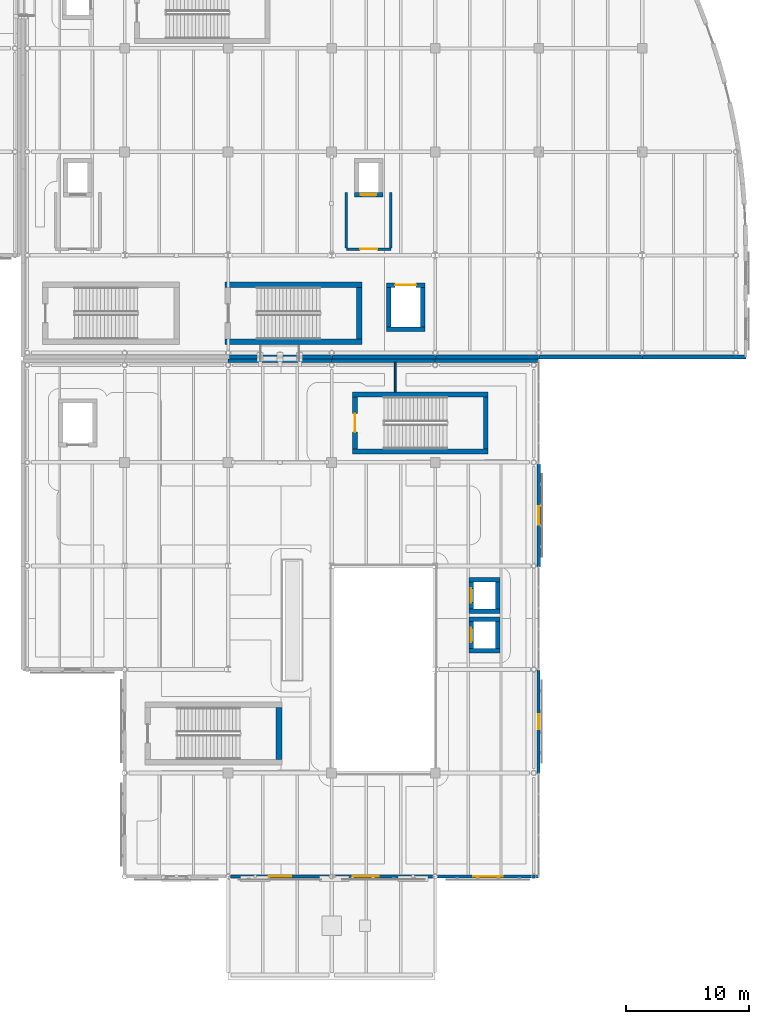
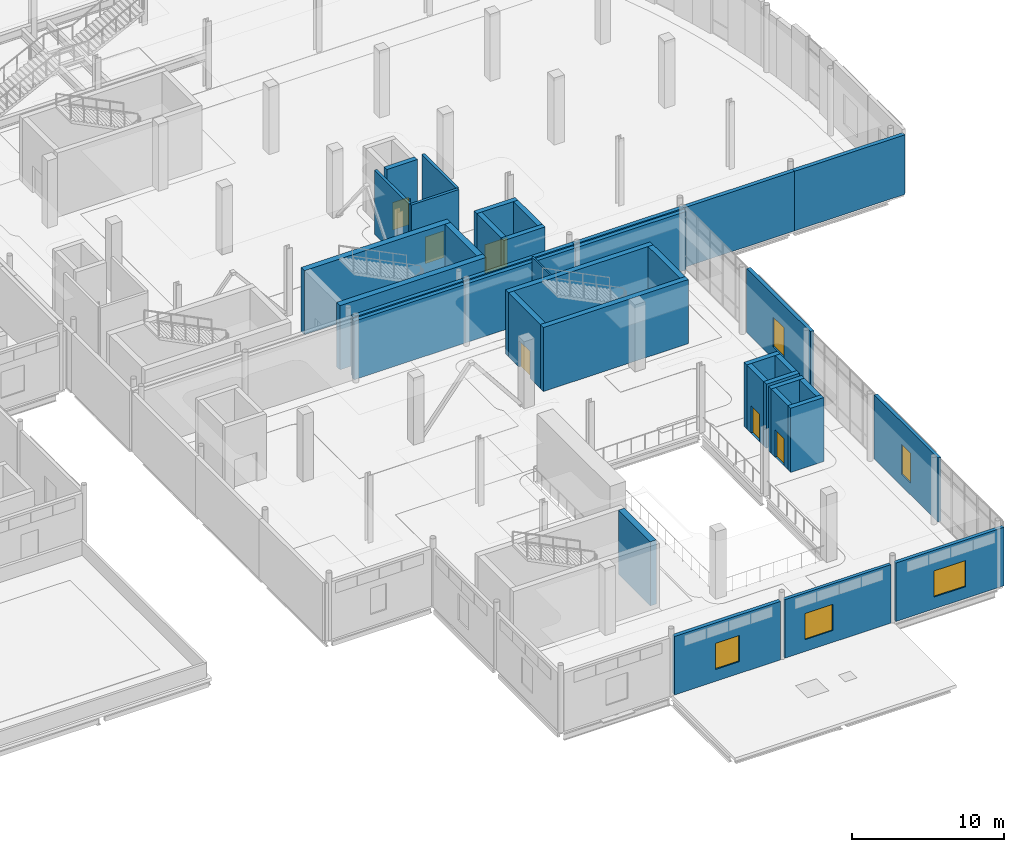
# One storey, part 71 of 110: 38 walls, 6 doors, 5 windows, 11 openings.
"""IFC4 building model written with IfcOpenShell, lengths in metres."""

from ifc_helpers import new_model, si_unit, direction, frame, frame_2d, origin, place, context, subcontext, project, spatial, rectangle, extrude, material, layer, layer_set, type_object, element, fill, save


model = new_model("IFC4")

# Units and contexts
model_context = context("Model", 3, precision=1e-05, world=origin(), true_north=direction((0.0, 1.0)))
body_context = subcontext(model_context, "Body", "Model", "MODEL_VIEW")
ifc_project = project(units=[si_unit("LENGTHUNIT", "METRE"), si_unit("AREAUNIT", "SQUARE_METRE"), si_unit("VOLUMEUNIT", "CUBIC_METRE"), si_unit("PLANEANGLEUNIT", "RADIAN"), si_unit("MASSUNIT", "GRAM", prefix="KILO"), si_unit("THERMODYNAMICTEMPERATUREUNIT", "KELVIN")], contexts=[model_context])

# Site, building, storey
site_placement = place(None, origin())
site = spatial("IfcSite", under=ifc_project, at=site_placement, CompositionType="ELEMENT")
building_placement = place(site_placement, origin())
building = spatial("IfcBuilding", under=site, at=building_placement, Name="Lustrewick Department Store", CompositionType="ELEMENT")
storey_placement = place(building_placement, frame((0.0, 0.0, 6.0)))
storey = spatial("IfcBuildingStorey", under=building, at=storey_placement, Name="L02", CompositionType="ELEMENT", Elevation=6.0)

# Wall, opening, window
ifc_material_1 = material(Name="Precast concrete C40", Category="concrete")
ifc_layer_1 = layer(ifc_material_1, 0.239990234375, Name="Precast concrete C40")
ifc_layer_set_1 = layer_set([ifc_layer_1], Name="Precast concrete C40")
wall_type_1 = type_object("IfcWallType", Name="EW01", PredefinedType="STANDARD", material=ifc_layer_set_1)
wall_1_placement = place(storey_placement, frame((134.58349609375, 8.39990234375, 0.0), z_axis=(0.0, 0.0, 1.0), x_axis=(1.0, 0.0, 0.0)))
wall_1 = element("IfcWall", 1, at=wall_1_placement, inside=storey, type_object=wall_type_1, Name="L02 V3 Exterior Wall EW01", PredefinedType="STANDARD", context=body_context, shape_type="SweptSolid", body=[
    extrude(rectangle(XDim=8.032958984375, YDim=0.239990234375, at=frame_2d((4.0166015625, 0.0))), origin(), (0.0, 0.0, 1.0), 4.697021484375),
])
opening_1_placement = place(wall_1_placement, frame((1.5205078125, 0.0, 0.949951171875)))
opening_1 = element("IfcOpeningElement", 2, at=opening_1_placement, cuts=wall_1, Name="Opening WN11", PredefinedType="OPENING", context=body_context, shape_type="SweptSolid", body=[
    extrude(rectangle(XDim=2.10009765625, YDim=2.10009765625, at=frame_2d((1.050048828125, 1.050048828125))), frame((0.0, 0.1298828125, 0.0), z_axis=(0.0, -1.0, 0.0), x_axis=(1.0, 0.0, 0.0)), (0.0, 0.0, 1.0), 0.260009765625),
])
ifc_material_2 = material(Name="Thermally broken Low-E triple-glazed window", Category="glass")
window_type_1 = type_object("IfcWindowType", Name="WN11", PartitioningType="DOUBLE_PANEL_VERTICAL", PredefinedType="WINDOW", material=ifc_material_2)
window_1_placement = place(opening_1_placement, origin())
window_1 = element("IfcWindow", 3, at=window_1_placement, inside=storey, type_object=window_type_1, Name="L02 Art Nouveau Window WN11", OverallHeight=2.10009765625, OverallWidth=2.10009765625, PartitioningType="SINGLE_PANEL", PredefinedType="WINDOW", context=body_context, shape_type="SweptSolid", body=[
    extrude(rectangle(XDim=2.10009765625, YDim=2.10009765625, at=frame_2d((1.050048828125, 1.050048828125))), frame((0.0, 0.030029296875, 0.0), z_axis=(0.0, -1.0, 0.0), x_axis=(1.0, 0.0, 0.0)), (0.0, 0.0, 1.0), 0.06005859375),
])
fill(opening_1, window_1)

wall_2_placement = place(storey_placement, frame((151.199951171875, 16.77001953125, 0.0), z_axis=(0.0, 0.0, 1.0), x_axis=(0.0, 1.0, 0.0)))
wall_2 = element("IfcWall", 4, at=wall_2_placement, inside=storey, type_object=wall_type_1, Name="L02 V3 Exterior Wall EW01", PredefinedType="STANDARD", context=body_context, shape_type="SweptSolid", body=[
    extrude(rectangle(XDim=8.369873046875, YDim=0.239990234375, at=frame_2d((4.18505859375, 0.0))), origin(), (0.0, 0.0, 1.0), 5.14501953125),
])
opening_2_placement = place(wall_2_placement, frame((3.5849609375, 0.0, 0.949951171875)))
opening_2 = element("IfcOpeningElement", 5, at=opening_2_placement, cuts=wall_2, Name="Opening WN13", PredefinedType="OPENING", context=body_context, shape_type="SweptSolid", body=[
    extrude(rectangle(XDim=1.199951171875, YDim=2.39990234375, at=frame_2d((0.60009765625, 1.199951171875))), frame((0.0, 0.1298828125, 0.0), z_axis=(0.0, -1.0, 0.0), x_axis=(1.0, 0.0, 0.0)), (0.0, 0.0, 1.0), 0.260009765625),
])
window_type_2 = type_object("IfcWindowType", Name="WN13", PartitioningType="DOUBLE_PANEL_VERTICAL", PredefinedType="WINDOW", material=ifc_material_2)
window_2_placement = place(opening_2_placement, origin())
window_2 = element("IfcWindow", 6, at=window_2_placement, inside=storey, type_object=window_type_2, Name="L02 Art Nouveau Window WN13", OverallHeight=2.39990234375, OverallWidth=1.199951171875, PartitioningType="SINGLE_PANEL", PredefinedType="WINDOW", context=body_context, shape_type="SweptSolid", body=[
    extrude(rectangle(XDim=1.199951171875, YDim=2.39990234375, at=frame_2d((0.60009765625, 1.199951171875))), frame((0.0, 0.030029296875, 0.0), z_axis=(0.0, -1.0, 0.0), x_axis=(1.0, 0.0, 0.0)), (0.0, 0.0, 1.0), 0.06005859375),
])
fill(opening_2, window_2)

ifc_layer_2 = layer(ifc_material_1, 0.260009765625, Name="Precast concrete C40")
ifc_layer_set_2 = layer_set([ifc_layer_2], Name="Precast concrete C40")
wall_type_2 = type_object("IfcWallType", Name="EW02", PredefinedType="STANDARD", material=ifc_layer_set_2)
wall_3_placement = place(storey_placement, frame((142.9833984375, 8.39990234375, 0.0), z_axis=(0.0, 0.0, 1.0), x_axis=(1.0, 0.0, 0.0)))
wall_3 = element("IfcWall", 7, at=wall_3_placement, inside=storey, type_object=wall_type_2, Name="L02 V3 Exterior Wall EW02", PredefinedType="STANDARD", context=body_context, shape_type="SweptSolid", body=[
    extrude(rectangle(XDim=8.216552734375, YDim=0.260009765625, at=frame_2d((4.1083984375, 0.0))), origin(), (0.0, 0.0, 1.0), 4.697021484375),
])
opening_3_placement = place(wall_3_placement, frame((2.908203125, 0.0, 0.949951171875)))
opening_3 = element("IfcOpeningElement", 8, at=opening_3_placement, cuts=wall_3, Name="Opening WN12", PredefinedType="OPENING", context=body_context, shape_type="SweptSolid", body=[
    extrude(rectangle(XDim=2.39990234375, YDim=2.10009765625, at=frame_2d((1.199951171875, 1.050048828125))), frame((0.0, 0.14013671875, 0.0), z_axis=(0.0, -1.0, 0.0), x_axis=(1.0, 0.0, 0.0)), (0.0, 0.0, 1.0), 0.280029296875),
])
window_type_3 = type_object("IfcWindowType", Name="WN12", PartitioningType="DOUBLE_PANEL_VERTICAL", PredefinedType="WINDOW", material=ifc_material_2)
window_3_placement = place(opening_3_placement, origin())
window_3 = element("IfcWindow", 9, at=window_3_placement, inside=storey, type_object=window_type_3, Name="L02 Art Nouveau Window WN12", OverallHeight=2.10009765625, OverallWidth=2.39990234375, PartitioningType="SINGLE_PANEL", PredefinedType="WINDOW", context=body_context, shape_type="SweptSolid", body=[
    extrude(rectangle(XDim=2.39990234375, YDim=2.10009765625, at=frame_2d((1.199951171875, 1.050048828125))), frame((0.0, 0.030029296875, 0.0), z_axis=(0.0, -1.0, 0.0), x_axis=(1.0, 0.0, 0.0)), (0.0, 0.0, 1.0), 0.06005859375),
])
fill(opening_3, window_3)

ifc_layer_3 = layer(ifc_material_1, 0.280029296875, Name="Precast concrete C40")
ifc_layer_set_3 = layer_set([ifc_layer_3], Name="Precast concrete C40")
wall_type_3 = type_object("IfcWallType", Name="EW03", PredefinedType="STANDARD", material=ifc_layer_set_3)
wall_4_placement = place(storey_placement, frame((126.18359375, 8.39990234375, 0.0), z_axis=(0.0, 0.0, 1.0), x_axis=(1.0, 0.0, 0.0)))
wall_4 = element("IfcWall", 10, at=wall_4_placement, inside=storey, type_object=wall_type_3, Name="L02 V3 Exterior Wall EW03", PredefinedType="STANDARD", context=body_context, shape_type="SweptSolid", body=[
    extrude(rectangle(XDim=8.032958984375, YDim=0.280029296875, at=frame_2d((4.0166015625, 0.0))), origin(), (0.0, 0.0, 1.0), 4.697021484375),
])
opening_4_placement = place(wall_4_placement, frame((3.116455078125, 0.0, 0.949951171875)))
opening_4 = element("IfcOpeningElement", 11, at=opening_4_placement, cuts=wall_4, Name="Opening WN10", PredefinedType="OPENING", context=body_context, shape_type="SweptSolid", body=[
    extrude(rectangle(XDim=1.800048828125, YDim=2.10009765625, at=frame_2d((0.89990234375, 1.050048828125))), frame((0.0, 0.14990234375, 0.0), z_axis=(0.0, -1.0, 0.0), x_axis=(1.0, 0.0, 0.0)), (0.0, 0.0, 1.0), 0.300048828125),
])
window_type_4 = type_object("IfcWindowType", Name="WN10", PartitioningType="DOUBLE_PANEL_VERTICAL", PredefinedType="WINDOW", material=ifc_material_2)
window_4_placement = place(opening_4_placement, origin())
window_4 = element("IfcWindow", 12, at=window_4_placement, inside=storey, type_object=window_type_4, Name="L02 Art Nouveau Window WN10", OverallHeight=2.10009765625, OverallWidth=1.800048828125, PartitioningType="SINGLE_PANEL", PredefinedType="WINDOW", context=body_context, shape_type="SweptSolid", body=[
    extrude(rectangle(XDim=1.800048828125, YDim=2.10009765625, at=frame_2d((0.89990234375, 1.050048828125))), frame((0.0, 0.030029296875, 0.0), z_axis=(0.0, -1.0, 0.0), x_axis=(1.0, 0.0, 0.0)), (0.0, 0.0, 1.0), 0.06005859375),
])
fill(opening_4, window_4)

wall_5_placement = place(storey_placement, frame((151.199951171875, 33.510009765625, 0.0), z_axis=(0.0, 0.0, 1.0), x_axis=(0.0, 1.0, 0.0)))
wall_5 = element("IfcWall", 13, at=wall_5_placement, inside=storey, type_object=wall_type_3, Name="L02 V3 Exterior Wall EW03", PredefinedType="STANDARD", context=body_context, shape_type="SweptSolid", body=[
    extrude(rectangle(XDim=8.369873046875, YDim=0.280029296875, at=frame_2d((4.18505859375, 0.0))), origin(), (0.0, 0.0, 1.0), 5.14501953125),
])
opening_5_placement = place(wall_5_placement, frame((3.43505859375, 0.0, 0.949951171875)))
opening_5 = element("IfcOpeningElement", 14, at=opening_5_placement, cuts=wall_5, Name="Opening WN14", PredefinedType="OPENING", context=body_context, shape_type="SweptSolid", body=[
    extrude(rectangle(XDim=1.5, YDim=2.39990234375, at=frame_2d((0.75, 1.199951171875))), frame((0.0, 0.14990234375, 0.0), z_axis=(0.0, -1.0, 0.0), x_axis=(1.0, 0.0, 0.0)), (0.0, 0.0, 1.0), 0.300048828125),
])
window_type_5 = type_object("IfcWindowType", Name="WN14", PartitioningType="DOUBLE_PANEL_VERTICAL", PredefinedType="WINDOW", material=ifc_material_2)
window_5_placement = place(opening_5_placement, origin())
window_5 = element("IfcWindow", 15, at=window_5_placement, inside=storey, type_object=window_type_5, Name="L02 Art Nouveau Window WN14", OverallHeight=2.39990234375, OverallWidth=1.5, PartitioningType="SINGLE_PANEL", PredefinedType="WINDOW", context=body_context, shape_type="SweptSolid", body=[
    extrude(rectangle(XDim=1.5, YDim=2.39990234375, at=frame_2d((0.75, 1.199951171875))), frame((0.0, 0.030029296875, 0.0), z_axis=(0.0, -1.0, 0.0), x_axis=(1.0, 0.0, 0.0)), (0.0, 0.0, 1.0), 0.06005859375),
])
fill(opening_5, window_5)

# Walls
ifc_layer_4 = layer(ifc_material_1, 0.300048828125, Name="Precast concrete C40")
ifc_layer_set_4 = layer_set([ifc_layer_4], Name="Precast concrete C40")
wall_type_4 = type_object("IfcWallType", Name="EW04", PredefinedType="STANDARD", material=ifc_layer_set_4)
wall_6_placement = place(storey_placement, frame((151.199951171875, 50.25, 0.0), z_axis=(0.0, 0.0, 1.0), x_axis=(-1.0, 0.0, 0.0)))
element("IfcWall", 16, at=wall_6_placement, inside=storey, type_object=wall_type_4, Name="L02 V3 Exterior Wall EW04", PredefinedType="STANDARD", context=body_context, shape_type="SweptSolid", body=[
    extrude(rectangle(XDim=8.39990234375, YDim=0.300048828125, at=frame_2d((4.199951171875, 0.0))), origin(), (0.0, 0.0, 1.0), 4.697021484375),
])
wall_7_placement = place(storey_placement, frame((142.800048828125, 50.25, 0.0), z_axis=(0.0, 0.0, 1.0), x_axis=(-1.0, 0.0, 0.0)))
element("IfcWall", 17, at=wall_7_placement, inside=storey, type_object=wall_type_4, Name="L02 V3 Exterior Wall EW04", PredefinedType="STANDARD", context=body_context, shape_type="SweptSolid", body=[
    extrude(rectangle(XDim=8.400146484375, YDim=0.300048828125, at=frame_2d((4.2001953125, 0.0))), origin(), (0.0, 0.0, 1.0), 4.697021484375),
])
wall_8_placement = place(storey_placement, frame((134.39990234375, 50.25, 0.0), z_axis=(0.0, 0.0, 1.0), x_axis=(-1.0, 0.0, 0.0)))
element("IfcWall", 18, at=wall_8_placement, inside=storey, type_object=wall_type_4, Name="L02 V3 Exterior Wall EW04", PredefinedType="STANDARD", context=body_context, shape_type="SweptSolid", body=[
    extrude(rectangle(XDim=8.39990234375, YDim=0.300048828125, at=frame_2d((4.199951171875, 0.0))), origin(), (0.0, 0.0, 1.0), 4.697021484375),
])
wall_9_placement = place(storey_placement, frame((126.107177734375, 50.550048828125, 0.0), z_axis=(0.0, 0.0, 1.0), x_axis=(1.0, 0.0, 0.0)))
element("IfcWall", 19, at=wall_9_placement, inside=storey, type_object=wall_type_4, Name="L02 V4 Exterior Wall EW04", PredefinedType="STANDARD", context=body_context, shape_type="SweptSolid", body=[
    extrude(rectangle(XDim=8.37841796875, YDim=0.300048828125, at=frame_2d((4.189208984375, 0.0))), origin(), (0.0, 0.0, 1.0), 4.787109375),
])
for number, where, z_axis, x_axis, name in (
    (20, (134.485595703125, 50.550048828125, 0.0), (0.0, 0.0, 1.0), (1.0, 0.0, 0.0), "L02 V4 Exterior Wall EW04"),
    (21, (142.8642578125, 50.550048828125, 0.0), (0.0, 0.0, 1.0), (1.0, 0.0, 0.0), "L02 V4 Exterior Wall EW04"),
):
    element("IfcWall", number, at=place(storey_placement, frame(where, z_axis=z_axis, x_axis=x_axis)), inside=storey, type_object=wall_type_4, Name=name, PredefinedType="STANDARD", context=body_context, shape_type="SweptSolid", body=[
        extrude(rectangle(XDim=8.378662109375, YDim=0.300048828125, at=frame_2d((4.189453125, 0.0))), origin(), (0.0, 0.0, 1.0), 4.787109375),
    ])
wall_10_placement = place(storey_placement, frame((151.242919921875, 50.550048828125, 0.0), z_axis=(0.0, 0.0, 1.0), x_axis=(1.0, 0.0, 0.0)))
element("IfcWall", 22, at=wall_10_placement, inside=storey, type_object=wall_type_4, Name="L02 V4 Exterior Wall EW04", PredefinedType="STANDARD", context=body_context, shape_type="SweptSolid", body=[
    extrude(rectangle(XDim=8.37841796875, YDim=0.300048828125, at=frame_2d((4.189208984375, 0.0))), origin(), (0.0, 0.0, 1.0), 4.787109375),
])
wall_11_placement = place(storey_placement, frame((159.621337890625, 50.550048828125, 0.0), z_axis=(0.0, 0.0, 1.0), x_axis=(1.0, 0.0, 0.0)))
element("IfcWall", 23, at=wall_11_placement, inside=storey, type_object=wall_type_4, Name="L02 V4 Exterior Wall EW04", PredefinedType="STANDARD", context=body_context, shape_type="SweptSolid", body=[
    extrude(rectangle(XDim=8.378662109375, YDim=0.300048828125, at=frame_2d((4.189453125, 0.0))), origin(), (0.0, 0.0, 1.0), 4.787109375),
])

# Wall, opening, door
ifc_material_3 = material(Name="Autoclaved aerated concrete blockwork and fire board", Category="masonry")
ifc_layer_5 = layer(ifc_material_3, 0.205078125, Name="Autoclaved aerated concrete blockwork and fire board")
ifc_layer_set_5 = layer_set([ifc_layer_5], Name="Autoclaved aerated concrete blockwork and fire board")
wall_type_5 = type_object("IfcWallType", Name="PW02", PredefinedType="PARTITIONING", material=ifc_layer_set_5)
wall_12_placement = place(storey_placement, frame((135.60009765625, 59.300048828125, 0.0), z_axis=(0.0, 0.0, 1.0), x_axis=(1.0, 0.0, 0.0)))
wall_12 = element("IfcWall", 24, at=wall_12_placement, inside=storey, type_object=wall_type_5, Name="L02 Firefighting Lift Lobby FFL-03 PW02", PredefinedType="PARTITIONING", context=body_context, shape_type="SweptSolid", body=[
    extrude(rectangle(XDim=3.599853515625, YDim=0.205078125, at=frame_2d((1.7998046875, 0.0))), origin(), (0.0, 0.0, 1.0), 5.14501953125),
])
opening_6_placement = place(wall_12_placement, frame((1.10009765625, 0.0, 0.0)))
opening_6 = element("IfcOpeningElement", 25, at=opening_6_placement, cuts=wall_12, Name="Opening D-L02-049", PredefinedType="OPENING", context=body_context, shape_type="SweptSolid", body=[
    extrude(rectangle(XDim=1.39990234375, YDim=2.14990234375, at=frame_2d((0.699951171875, 1.074951171875))), frame((0.0, 0.112548828125, 0.0), z_axis=(0.0, -1.0, 0.0), x_axis=(1.0, 0.0, 0.0)), (0.0, 0.0, 1.0), 0.22509765625),
])
ifc_material_4 = material(Name="Steel fire door Class B EI 60", Category="steel")
door_type_1 = type_object("IfcDoorType", Name="DT-08", OperationType="NOTDEFINED", PredefinedType="DOOR", material=ifc_material_4)
door_1_placement = place(opening_6_placement, origin())
door_1 = element("IfcDoor", 26, at=door_1_placement, inside=storey, type_object=door_type_1, Name="L02 Firefighting Lift Lobby FFL-03 Door D-L02-049", OperationType="SINGLE_SWING_LEFT", OverallHeight=2.14990234375, OverallWidth=1.39990234375, PredefinedType="DOOR", context=body_context, shape_type="SweptSolid", body=[
    extrude(rectangle(XDim=1.39990234375, YDim=2.14990234375, at=frame_2d((0.699951171875, 1.074951171875))), frame((0.0, 0.02490234375, 0.0), z_axis=(0.0, -1.0, 0.0), x_axis=(1.0, 0.0, 0.0)), (0.0, 0.0, 1.0), 0.050048828125),
])
fill(opening_6, door_1)

# Walls
for number, where, z_axis, x_axis, name in (
    (27, (139.199951171875, 59.3974609375, 0.0), (0.0, 0.0, 1.0), (0.0, 1.0, 0.0), "L02 Firefighting Lift Lobby FFL-03 PW02"),
    (28, (135.60009765625, 63.89990234375, 0.0), (0.0, 0.0, 1.0), (0.0, -1.0, 0.0), "L02 Firefighting Lift Lobby FFL-03 PW02"),
):
    element("IfcWall", number, at=place(storey_placement, frame(where, z_axis=z_axis, x_axis=x_axis)), inside=storey, type_object=wall_type_5, Name=name, PredefinedType="PARTITIONING", context=body_context, shape_type="SweptSolid", body=[
        extrude(rectangle(XDim=4.50244140625, YDim=0.205078125, at=frame_2d((2.251220703125, 0.0))), origin(), (0.0, 0.0, 1.0), 5.14501953125),
    ])
ifc_material_5 = material(Name="Acoustic gypsum stud corridor partition", Category="gypsum")
ifc_layer_6 = layer(ifc_material_5, 0.135009765625, Name="Acoustic gypsum stud corridor partition")
ifc_layer_set_6 = layer_set([ifc_layer_6], Name="Acoustic gypsum stud corridor partition")
wall_type_6 = type_object("IfcWallType", Name="PW06", PredefinedType="PARTITIONING", material=ifc_layer_set_6)
wall_13_placement = place(storey_placement, frame((139.558349609375, 47.695068359375, 0.0), z_axis=(0.0, 0.0, 1.0), x_axis=(0.0, 1.0, 0.0)))
element("IfcWall", 29, at=wall_13_placement, inside=storey, type_object=wall_type_6, Name="L02 V3 Merchandise Display Alcove 3 PW06", PredefinedType="PARTITIONING", context=body_context, shape_type="SweptSolid", body=[
    extrude(rectangle(XDim=2.409912109375, YDim=0.135009765625, at=frame_2d((1.205078125, 0.0))), origin(), (0.0, 0.0, 1.0), 5.14501953125),
])
ifc_material_6 = material(Name="Concrete C50", Category="concrete")
ifc_layer_7 = layer(ifc_material_6, 0.449951171875, Name="Concrete C50")
ifc_layer_set_7 = layer_set([ifc_layer_7], Name="Concrete C50")
wall_type_7 = type_object("IfcWallType", Name="SW01", PredefinedType="SHEAR", material=ifc_layer_set_7)
wall_14_placement = place(storey_placement, frame((130.125, 17.89990234375, 0.0), z_axis=(0.0, 0.0, 1.0), x_axis=(0.0, 1.0, 0.0)))
element("IfcWall", 30, at=wall_14_placement, inside=storey, type_object=wall_type_7, Name="L02 Stair Core ST07 Shear Wall E", PredefinedType="SHEAR", context=body_context, shape_type="SweptSolid", body=[
    extrude(rectangle(XDim=4.2001953125, YDim=0.449951171875, at=frame_2d((2.10009765625, 0.0))), origin(), (0.0, 0.0, 1.0), 5.14501953125),
])
wall_15_placement = place(storey_placement, frame((125.75, 51.77490234375, 0.0), z_axis=(0.0, 0.0, 1.0), x_axis=(1.0, 0.0, 0.0)))
element("IfcWall", 31, at=wall_15_placement, inside=storey, type_object=wall_type_7, Name="L02 Stair Core ST11 Shear Wall S", PredefinedType="SHEAR", context=body_context, shape_type="SweptSolid", body=[
    extrude(rectangle(XDim=11.10009765625, YDim=0.449951171875, at=frame_2d((5.550048828125, 0.0))), origin(), (0.0, 0.0, 1.0), 5.14501953125),
])
wall_16_placement = place(storey_placement, frame((136.625, 52.0, 0.0), z_axis=(0.0, 0.0, 1.0), x_axis=(0.0, 1.0, 0.0)))
element("IfcWall", 32, at=wall_16_placement, inside=storey, type_object=wall_type_7, Name="L02 Stair Core ST11 Shear Wall E", PredefinedType="SHEAR", context=body_context, shape_type="SweptSolid", body=[
    extrude(rectangle(XDim=4.199951171875, YDim=0.449951171875, at=frame_2d((2.10009765625, 0.0))), origin(), (0.0, 0.0, 1.0), 5.14501953125),
])
wall_17_placement = place(storey_placement, frame((136.85009765625, 56.425048828125, 0.0), z_axis=(0.0, 0.0, 1.0), x_axis=(-1.0, 0.0, 0.0)))
element("IfcWall", 33, at=wall_17_placement, inside=storey, type_object=wall_type_7, Name="L02 Stair Core ST11 Shear Wall N", PredefinedType="SHEAR", context=body_context, shape_type="SweptSolid", body=[
    extrude(rectangle(XDim=11.10009765625, YDim=0.449951171875, at=frame_2d((5.550048828125, 0.0))), origin(), (0.0, 0.0, 1.0), 5.14501953125),
])
ifc_layer_8 = layer(ifc_material_6, 0.39990234375, Name="Concrete C50")
ifc_layer_set_8 = layer_set([ifc_layer_8], Name="Concrete C50")
wall_type_8 = type_object("IfcWallType", Name="SW02", PredefinedType="SHEAR", material=ifc_layer_set_8)
wall_18_placement = place(storey_placement, frame((136.10009765625, 42.89990234375, 0.0), z_axis=(0.0, 0.0, 1.0), x_axis=(1.0, 0.0, 0.0)))
element("IfcWall", 34, at=wall_18_placement, inside=storey, type_object=wall_type_8, Name="L02 Stair Core ST08 Shear Wall S", PredefinedType="SHEAR", context=body_context, shape_type="SweptSolid", body=[
    extrude(rectangle(XDim=11.0, YDim=0.39990234375, at=frame_2d((5.5, 0.0))), origin(), (0.0, 0.0, 1.0), 5.14501953125),
])
wall_19_placement = place(storey_placement, frame((146.89990234375, 43.10009765625, 0.0), z_axis=(0.0, 0.0, 1.0), x_axis=(0.0, 1.0, 0.0)))
element("IfcWall", 35, at=wall_19_placement, inside=storey, type_object=wall_type_8, Name="L02 Stair Core ST08 Shear Wall E", PredefinedType="SHEAR", context=body_context, shape_type="SweptSolid", body=[
    extrude(rectangle(XDim=4.199951171875, YDim=0.39990234375, at=frame_2d((2.10009765625, 0.0))), origin(), (0.0, 0.0, 1.0), 5.14501953125),
])
wall_20_placement = place(storey_placement, frame((147.10009765625, 47.5, 0.0), z_axis=(0.0, 0.0, 1.0), x_axis=(-1.0, 0.0, 0.0)))
element("IfcWall", 36, at=wall_20_placement, inside=storey, type_object=wall_type_8, Name="L02 Stair Core ST08 Shear Wall N", PredefinedType="SHEAR", context=body_context, shape_type="SweptSolid", body=[
    extrude(rectangle(XDim=11.0, YDim=0.39990234375, at=frame_2d((5.5, 0.0))), origin(), (0.0, 0.0, 1.0), 5.14501953125),
])

# Wall, opening, door
wall_21_placement = place(storey_placement, frame((136.300048828125, 47.300048828125, 0.0), z_axis=(0.0, 0.0, 1.0), x_axis=(0.0, -1.0, 0.0)))
wall_21 = element("IfcWall", 37, at=wall_21_placement, inside=storey, type_object=wall_type_8, Name="L02 Stair Core ST08 Shear Wall W", PredefinedType="SHEAR", context=body_context, shape_type="SweptSolid", body=[
    extrude(rectangle(XDim=4.199951171875, YDim=0.39990234375, at=frame_2d((2.10009765625, 0.0))), origin(), (0.0, 0.0, 1.0), 5.14501953125),
])
opening_7_placement = place(wall_21_placement, frame((1.35009765625, 0.0, 0.0)))
opening_7 = element("IfcOpeningElement", 38, at=opening_7_placement, cuts=wall_21, Name="Opening D-L02-008", PredefinedType="OPENING", context=body_context, shape_type="SweptSolid", body=[
    extrude(rectangle(XDim=1.5, YDim=2.14990234375, at=frame_2d((0.75, 1.074951171875))), frame((0.0, 0.2099609375, 0.0), z_axis=(0.0, -1.0, 0.0), x_axis=(1.0, 0.0, 0.0)), (0.0, 0.0, 1.0), 0.419921875),
])
door_type_2 = type_object("IfcDoorType", Name="DT-07", OperationType="NOTDEFINED", PredefinedType="DOOR", material=ifc_material_4)
door_2_placement = place(opening_7_placement, origin())
door_2 = element("IfcDoor", 39, at=door_2_placement, inside=storey, type_object=door_type_2, Name="L02 Smoke-Proof Stair ST08 Fire Door", OperationType="SINGLE_SWING_RIGHT", OverallHeight=2.14990234375, OverallWidth=1.5, PredefinedType="DOOR", context=body_context, shape_type="SweptSolid", body=[
    extrude(rectangle(XDim=1.5, YDim=2.14990234375, at=frame_2d((0.75, 1.074951171875))), frame((0.0, 0.02490234375, 0.0), z_axis=(0.0, -1.0, 0.0), x_axis=(1.0, 0.0, 0.0)), (0.0, 0.0, 1.0), 0.050048828125),
])
fill(opening_7, door_2)

ifc_material_7 = material(Name="Concrete C40", Category="concrete")
ifc_layer_9 = layer(ifc_material_7, 0.360107421875, Name="Concrete C40")
ifc_layer_set_9 = layer_set([ifc_layer_9], Name="Concrete C40")
wall_type_9 = type_object("IfcWallType", Name="SW04", PredefinedType="SHEAR", material=ifc_layer_set_9)
wall_22_placement = place(storey_placement, frame((136.239990234375, 63.719970703125, 0.0), z_axis=(0.0, 0.0, 1.0), x_axis=(1.0, 0.0, 0.0)))
wall_22 = element("IfcWall", 40, at=wall_22_placement, inside=storey, type_object=wall_type_9, Name="L02 Lift FFL-03 Shaft Wall -Y", PredefinedType="SHEAR", context=body_context, shape_type="SweptSolid", body=[
    extrude(rectangle(XDim=2.320068359375, YDim=0.360107421875, at=frame_2d((1.16015625, 0.0))), origin(), (0.0, 0.0, 1.0), 5.14501953125),
])
opening_8_placement = place(wall_22_placement, frame((0.534912109375, 0.0, 0.0)))
opening_8 = element("IfcOpeningElement", 41, at=opening_8_placement, cuts=wall_22, Name="Opening LD-L02-03", PredefinedType="OPENING", context=body_context, shape_type="SweptSolid", body=[
    extrude(rectangle(XDim=1.25, YDim=2.199951171875, at=frame_2d((0.625, 1.10009765625))), frame((0.0, 0.18994140625, 0.0), z_axis=(0.0, -1.0, 0.0), x_axis=(1.0, 0.0, 0.0)), (0.0, 0.0, 1.0), 0.380126953125),
])
ifc_material_8 = material(Name="Stainless steel firefighting lift landing door EI 90", Category="steel")
door_type_3 = type_object("IfcDoorType", Name="DT-15", OperationType="NOTDEFINED", PredefinedType="DOOR", material=ifc_material_8)
door_3_placement = place(opening_8_placement, frame((1.25, 0.0, 0.0), z_axis=(0.0, 0.0, 1.0), x_axis=(-1.0, 0.0, 0.0)))
door_3 = element("IfcDoor", 42, at=door_3_placement, inside=storey, type_object=door_type_3, Name="L02 Lift FFL-03 Sliding Landing Door LD-L02-03", OperationType="DOUBLE_DOOR_SLIDING", OverallHeight=2.199951171875, OverallWidth=1.25, PredefinedType="DOOR", context=body_context, shape_type="SweptSolid", body=[
    extrude(rectangle(XDim=1.25, YDim=2.199951171875, at=frame_2d((0.625, 1.10009765625))), frame((0.0, 0.02490234375, 0.0), z_axis=(0.0, -1.0, 0.0), x_axis=(1.0, 0.0, 0.0)), (0.0, 0.0, 1.0), 0.050048828125),
])
fill(opening_8, door_3)

# Walls
wall_23_placement = place(storey_placement, frame((145.5400390625, 26.719970703125, 0.0), z_axis=(0.0, 0.0, 1.0), x_axis=(1.0, 0.0, 0.0)))
element("IfcWall", 43, at=wall_23_placement, inside=storey, type_object=wall_type_9, Name="L02 Lift PL-05 Shaft Wall -Y", PredefinedType="SHEAR", context=body_context, shape_type="SweptSolid", body=[
    extrude(rectangle(XDim=2.52001953125, YDim=0.360107421875, at=frame_2d((1.260009765625, 0.0))), origin(), (0.0, 0.0, 1.0), 5.14501953125),
])
wall_24_placement = place(storey_placement, frame((147.8798828125, 26.89990234375, 0.0), z_axis=(0.0, 0.0, 1.0), x_axis=(0.0, 1.0, 0.0)))
element("IfcWall", 44, at=wall_24_placement, inside=storey, type_object=wall_type_9, Name="L02 Lift PL-05 Shaft Wall +X", PredefinedType="SHEAR", context=body_context, shape_type="SweptSolid", body=[
    extrude(rectangle(XDim=2.2001953125, YDim=0.360107421875, at=frame_2d((1.10009765625, 0.0))), origin(), (0.0, 0.0, 1.0), 5.14501953125),
])
wall_25_placement = place(storey_placement, frame((148.06005859375, 29.280029296875, 0.0), z_axis=(0.0, 0.0, 1.0), x_axis=(-1.0, 0.0, 0.0)))
element("IfcWall", 45, at=wall_25_placement, inside=storey, type_object=wall_type_9, Name="L02 Lift PL-05 Shaft Wall +Y", PredefinedType="SHEAR", context=body_context, shape_type="SweptSolid", body=[
    extrude(rectangle(XDim=2.52001953125, YDim=0.360107421875, at=frame_2d((1.260009765625, 0.0))), origin(), (0.0, 0.0, 1.0), 5.14501953125),
])

# Wall, opening, door
wall_26_placement = place(storey_placement, frame((145.719970703125, 29.10009765625, 0.0), z_axis=(0.0, 0.0, 1.0), x_axis=(0.0, -1.0, 0.0)))
wall_26 = element("IfcWall", 46, at=wall_26_placement, inside=storey, type_object=wall_type_9, Name="L02 Lift PL-05 Shaft Wall -X", PredefinedType="SHEAR", context=body_context, shape_type="SweptSolid", body=[
    extrude(rectangle(XDim=2.2001953125, YDim=0.360107421875, at=frame_2d((1.10009765625, 0.0))), origin(), (0.0, 0.0, 1.0), 5.14501953125),
])
opening_9_placement = place(wall_26_placement, frame((0.52490234375, 0.0, 0.0)))
opening_9 = element("IfcOpeningElement", 47, at=opening_9_placement, cuts=wall_26, Name="Opening LD-L02-09", PredefinedType="OPENING", context=body_context, shape_type="SweptSolid", body=[
    extrude(rectangle(XDim=1.14990234375, YDim=2.199951171875, at=frame_2d((0.574951171875, 1.10009765625))), frame((0.0, 0.18994140625, 0.0), z_axis=(0.0, -1.0, 0.0), x_axis=(1.0, 0.0, 0.0)), (0.0, 0.0, 1.0), 0.380126953125),
])
ifc_material_9 = material(Name="Brushed bronze passenger lift landing door EI 60", Category="steel")
door_type_4 = type_object("IfcDoorType", Name="DT-16", OperationType="NOTDEFINED", PredefinedType="DOOR", material=ifc_material_9)
door_4_placement = place(opening_9_placement, frame((1.14990234375, 0.0, 0.0), z_axis=(0.0, 0.0, 1.0), x_axis=(-1.0, 0.0, 0.0)))
door_4 = element("IfcDoor", 48, at=door_4_placement, inside=storey, type_object=door_type_4, Name="L02 Lift PL-05 Sliding Landing Door LD-L02-09", OperationType="DOUBLE_DOOR_SLIDING", OverallHeight=2.199951171875, OverallWidth=1.14990234375, PredefinedType="DOOR", context=body_context, shape_type="SweptSolid", body=[
    extrude(rectangle(XDim=1.14990234375, YDim=2.199951171875, at=frame_2d((0.574951171875, 1.10009765625))), frame((0.0, 0.02490234375, 0.0), z_axis=(0.0, -1.0, 0.0), x_axis=(1.0, 0.0, 0.0)), (0.0, 0.0, 1.0), 0.050048828125),
])
fill(opening_9, door_4)

# Walls
wall_27_placement = place(storey_placement, frame((145.5400390625, 29.919921875, 0.0), z_axis=(0.0, 0.0, 1.0), x_axis=(1.0, 0.0, 0.0)))
element("IfcWall", 49, at=wall_27_placement, inside=storey, type_object=wall_type_9, Name="L02 Lift PL-06 Shaft Wall -Y", PredefinedType="SHEAR", context=body_context, shape_type="SweptSolid", body=[
    extrude(rectangle(XDim=2.52001953125, YDim=0.360107421875, at=frame_2d((1.260009765625, 0.0))), origin(), (0.0, 0.0, 1.0), 5.14501953125),
])
wall_28_placement = place(storey_placement, frame((147.8798828125, 30.10009765625, 0.0), z_axis=(0.0, 0.0, 1.0), x_axis=(0.0, 1.0, 0.0)))
element("IfcWall", 50, at=wall_28_placement, inside=storey, type_object=wall_type_9, Name="L02 Lift PL-06 Shaft Wall +X", PredefinedType="SHEAR", context=body_context, shape_type="SweptSolid", body=[
    extrude(rectangle(XDim=2.199951171875, YDim=0.360107421875, at=frame_2d((1.10009765625, 0.0))), origin(), (0.0, 0.0, 1.0), 5.14501953125),
])
wall_29_placement = place(storey_placement, frame((148.06005859375, 32.47998046875, 0.0), z_axis=(0.0, 0.0, 1.0), x_axis=(-1.0, 0.0, 0.0)))
element("IfcWall", 51, at=wall_29_placement, inside=storey, type_object=wall_type_9, Name="L02 Lift PL-06 Shaft Wall +Y", PredefinedType="SHEAR", context=body_context, shape_type="SweptSolid", body=[
    extrude(rectangle(XDim=2.52001953125, YDim=0.360107421875, at=frame_2d((1.260009765625, 0.0))), origin(), (0.0, 0.0, 1.0), 5.14501953125),
])

# Wall, opening, door
wall_30_placement = place(storey_placement, frame((145.719970703125, 32.300048828125, 0.0), z_axis=(0.0, 0.0, 1.0), x_axis=(0.0, -1.0, 0.0)))
wall_30 = element("IfcWall", 52, at=wall_30_placement, inside=storey, type_object=wall_type_9, Name="L02 Lift PL-06 Shaft Wall -X", PredefinedType="SHEAR", context=body_context, shape_type="SweptSolid", body=[
    extrude(rectangle(XDim=2.199951171875, YDim=0.360107421875, at=frame_2d((1.10009765625, 0.0))), origin(), (0.0, 0.0, 1.0), 5.14501953125),
])
opening_10_placement = place(wall_30_placement, frame((0.52490234375, 0.0, 0.0)))
opening_10 = element("IfcOpeningElement", 53, at=opening_10_placement, cuts=wall_30, Name="Opening LD-L02-10", PredefinedType="OPENING", context=body_context, shape_type="SweptSolid", body=[
    extrude(rectangle(XDim=1.14990234375, YDim=2.199951171875, at=frame_2d((0.574951171875, 1.10009765625))), frame((0.0, 0.18994140625, 0.0), z_axis=(0.0, -1.0, 0.0), x_axis=(1.0, 0.0, 0.0)), (0.0, 0.0, 1.0), 0.380126953125),
])
door_5_placement = place(opening_10_placement, frame((1.14990234375, 0.0, 0.0), z_axis=(0.0, 0.0, 1.0), x_axis=(-1.0, 0.0, 0.0)))
door_5 = element("IfcDoor", 54, at=door_5_placement, inside=storey, type_object=door_type_4, Name="L02 Lift PL-06 Sliding Landing Door LD-L02-10", OperationType="DOUBLE_DOOR_SLIDING", OverallHeight=2.199951171875, OverallWidth=1.14990234375, PredefinedType="DOOR", context=body_context, shape_type="SweptSolid", body=[
    extrude(rectangle(XDim=1.14990234375, YDim=2.199951171875, at=frame_2d((0.574951171875, 1.10009765625))), frame((0.0, 0.02490234375, 0.0), z_axis=(0.0, -1.0, 0.0), x_axis=(1.0, 0.0, 0.0)), (0.0, 0.0, 1.0), 0.050048828125),
])
fill(opening_10, door_5)

# Walls
wall_31_placement = place(storey_placement, frame((138.840087890625, 52.820068359375, 0.0), z_axis=(0.0, 0.0, 1.0), x_axis=(1.0, 0.0, 0.0)))
element("IfcWall", 55, at=wall_31_placement, inside=storey, type_object=wall_type_9, Name="L02 Lift GL-04 Shaft Wall -Y", PredefinedType="SHEAR", context=body_context, shape_type="SweptSolid", body=[
    extrude(rectangle(XDim=3.119873046875, YDim=0.360107421875, at=frame_2d((1.56005859375, 0.0))), origin(), (0.0, 0.0, 1.0), 5.14501953125),
])
wall_32_placement = place(storey_placement, frame((141.780029296875, 53.0, 0.0), z_axis=(0.0, 0.0, 1.0), x_axis=(0.0, 1.0, 0.0)))
element("IfcWall", 56, at=wall_32_placement, inside=storey, type_object=wall_type_9, Name="L02 Lift GL-04 Shaft Wall +X", PredefinedType="SHEAR", context=body_context, shape_type="SweptSolid", body=[
    extrude(rectangle(XDim=3.199951171875, YDim=0.360107421875, at=frame_2d((1.60009765625, 0.0))), origin(), (0.0, 0.0, 1.0), 5.14501953125),
])

# Wall, opening, door
wall_33_placement = place(storey_placement, frame((141.9599609375, 56.3798828125, 0.0), z_axis=(0.0, 0.0, 1.0), x_axis=(-1.0, 0.0, 0.0)))
wall_33 = element("IfcWall", 57, at=wall_33_placement, inside=storey, type_object=wall_type_9, Name="L02 Lift GL-04 Shaft Wall +Y", PredefinedType="SHEAR", context=body_context, shape_type="SweptSolid", body=[
    extrude(rectangle(XDim=3.119873046875, YDim=0.360107421875, at=frame_2d((1.56005859375, 0.0))), origin(), (0.0, 0.0, 1.0), 5.14501953125),
])
opening_11_placement = place(wall_33_placement, frame((0.7099609375, 0.0, 0.0)))
opening_11 = element("IfcOpeningElement", 58, at=opening_11_placement, cuts=wall_33, Name="Opening LD-L02-16", PredefinedType="OPENING", context=body_context, shape_type="SweptSolid", body=[
    extrude(rectangle(XDim=1.699951171875, YDim=2.300048828125, at=frame_2d((0.85009765625, 1.14990234375))), frame((0.0, 0.18994140625, 0.0), z_axis=(0.0, -1.0, 0.0), x_axis=(1.0, 0.0, 0.0)), (0.0, 0.0, 1.0), 0.380126953125),
])
ifc_material_10 = material(Name="Heavy-duty stainless goods lift landing door EI 90", Category="steel")
door_type_5 = type_object("IfcDoorType", Name="DT-17", OperationType="NOTDEFINED", PredefinedType="DOOR", material=ifc_material_10)
door_6_placement = place(opening_11_placement, frame((1.699951171875, 0.0, 0.0), z_axis=(0.0, 0.0, 1.0), x_axis=(-1.0, 0.0, 0.0)))
door_6 = element("IfcDoor", 59, at=door_6_placement, inside=storey, type_object=door_type_5, Name="L02 Lift GL-04 Sliding Landing Door LD-L02-16", OperationType="DOUBLE_DOOR_SLIDING", OverallHeight=2.300048828125, OverallWidth=1.699951171875, PredefinedType="DOOR", context=body_context, shape_type="SweptSolid", body=[
    extrude(rectangle(XDim=1.699951171875, YDim=2.300048828125, at=frame_2d((0.85009765625, 1.14990234375))), frame((0.0, 0.02490234375, 0.0), z_axis=(0.0, -1.0, 0.0), x_axis=(1.0, 0.0, 0.0)), (0.0, 0.0, 1.0), 0.050048828125),
])
fill(opening_11, door_6)

# Wall
wall_34_placement = place(storey_placement, frame((139.02001953125, 56.199951171875, 0.0), z_axis=(0.0, 0.0, 1.0), x_axis=(0.0, -1.0, 0.0)))
element("IfcWall", 60, at=wall_34_placement, inside=storey, type_object=wall_type_9, Name="L02 Lift GL-04 Shaft Wall -X", PredefinedType="SHEAR", context=body_context, shape_type="SweptSolid", body=[
    extrude(rectangle(XDim=3.199951171875, YDim=0.360107421875, at=frame_2d((1.60009765625, 0.0))), origin(), (0.0, 0.0, 1.0), 5.14501953125),
])

save(model, "model.ifc")
